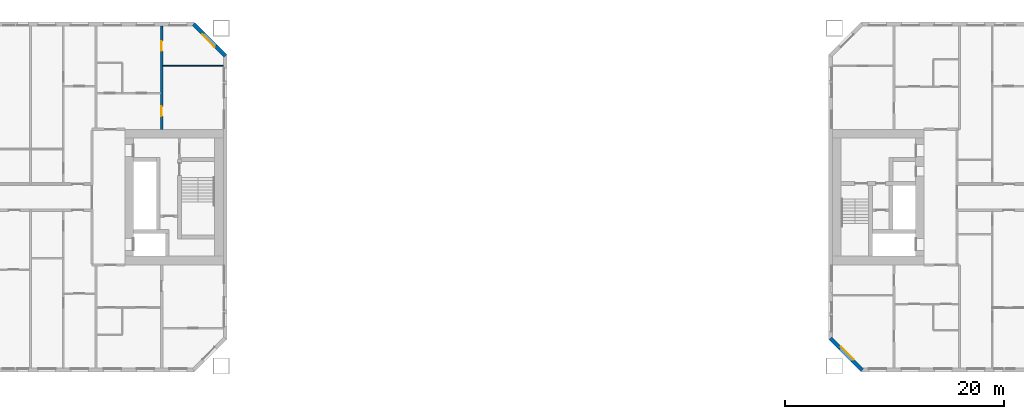
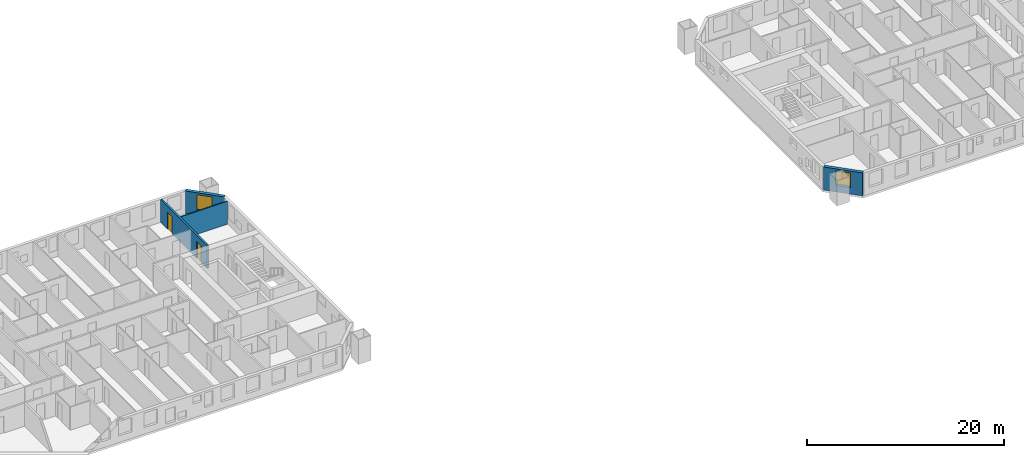
# One storey, part 10 of 19: 4 walls, 2 doors, 2 windows, 4 openings.
"""IFC4 building model written with IfcOpenShell, lengths in metres."""

import ifcopenshell
import ifcopenshell.guid

model = None  # the IFC model being written
_history = None  # IfcOwnerHistory: only IFC2X3 demands one
_inside = {}  # id of a spatial element -> (the spatial element, [elements in it])
_under = {}  # id of a project, library or spatial element -> (it, [spatial elements below it])
_declared = {}  # id of a project -> (the project, [libraries it declares])
_typed = {}  # id of a type object -> (the type object, [elements of that type])
_made_of = {}  # id of a material, layer set ... -> (it, [elements and type objects made of it])


def new_model(schema):
    """Start an empty IFC model of exactly this schema.

    Asked for "IFC4X3", IfcOpenShell would pick the latest addendum, in which some entities
    have other attributes; the version numbers below select the first issue.
    IFC2X3 requires an IfcOwnerHistory on every rooted entity: one is made here for all.
    """
    global model, _history
    if schema == "IFC4X3":
        model = ifcopenshell.file(schema_version=(4, 3, 0, 0))
    else:
        model = ifcopenshell.file(schema=schema)
    _inside.clear()
    _under.clear()
    _declared.clear()
    _typed.clear()
    _made_of.clear()
    _history = None
    if model.schema == "IFC2X3":
        org = make("IfcOrganization", Name="unknown")
        user = make(
            "IfcPersonAndOrganization",
            ThePerson=make("IfcPerson", FamilyName="unknown"),
            TheOrganization=org,
        )
        app = make(
            "IfcApplication",
            ApplicationDeveloper=org,
            Version="unknown",
            ApplicationFullName="unknown",
            ApplicationIdentifier="unknown",
        )
        _history = make(
            "IfcOwnerHistory",
            OwningUser=user,
            OwningApplication=app,
            ChangeAction="ADDED",
            CreationDate=0,
        )
    return model


def make(cls, **values):
    """One entity of the class cls with the attributes given. An attribute that is None is left unset."""
    return model.create_entity(
        cls, **{name: value for name, value in values.items() if value is not None}
    )


def rooted(cls, **values):
    """An entity with a GlobalId (a new one), such as an element, a storey or a relation."""
    return make(cls, GlobalId=ifcopenshell.guid.new(), OwnerHistory=_history, **values)


def si_unit(unit_type, name, prefix=None):
    """IfcSIUnit, for example si_unit("LENGTHUNIT", "METRE", prefix="MILLI")."""
    return make("IfcSIUnit", UnitType=unit_type, Prefix=prefix, Name=name)


def assignment(units):
    """IfcUnitAssignment: the units of a project."""
    return None if units is None else make("IfcUnitAssignment", Units=units)


def point(xyz):
    """IfcCartesianPoint."""
    return None if xyz is None else make("IfcCartesianPoint", Coordinates=xyz)


def direction(xyz):
    """IfcDirection."""
    return None if xyz is None else make("IfcDirection", DirectionRatios=xyz)


def frame(location, z_axis=None, x_axis=None):
    """IfcAxis2Placement3D, a coordinate frame: its origin and axes. An axis left out is left unset."""
    return make(
        "IfcAxis2Placement3D",
        Location=point(location),
        Axis=direction(z_axis),
        RefDirection=direction(x_axis),
    )


def frame_2d(location, x_axis=None):
    """IfcAxis2Placement2D, a coordinate frame in the plane: its origin and x axis."""
    return make(
        "IfcAxis2Placement2D", Location=point(location), RefDirection=direction(x_axis)
    )


def origin():
    """The frame at (0, 0, 0) with its axes left unset."""
    return frame((0.0, 0.0, 0.0))


def place(relative_to, where):
    """IfcLocalPlacement: puts the frame where relative to a parent placement (None: the world)."""
    return make(
        "IfcLocalPlacement", PlacementRelTo=relative_to, RelativePlacement=where
    )


def context(
    kind, dimensions, precision=None, world=None, true_north=None, identifier=None
):
    """IfcGeometricRepresentationContext, for example the 3D "Model" context."""
    return make(
        "IfcGeometricRepresentationContext",
        ContextIdentifier=identifier,
        ContextType=kind,
        CoordinateSpaceDimension=dimensions,
        Precision=precision,
        WorldCoordinateSystem=world,
        TrueNorth=true_north,
    )


def subcontext(parent, identifier, kind, view, scale=None):
    """IfcGeometricRepresentationSubContext, for example "Body" below "Model"."""
    return make(
        "IfcGeometricRepresentationSubContext",
        ContextIdentifier=identifier,
        ContextType=kind,
        ParentContext=parent,
        TargetScale=scale,
        TargetView=view,
    )


def project(units=None, contexts=None):
    """IfcProject with its units and contexts."""
    return rooted(
        "IfcProject",
        Name="project",
        RepresentationContexts=contexts,
        UnitsInContext=assignment(units),
    )


def spatial(cls, under=None, at=None, **own):
    """A site, building, storey or space (cls), placed at a placement, below another one or the project."""
    s = rooted(cls, ObjectPlacement=at, **own)
    if under is not None:
        _under.setdefault(under.id(), (under, []))[1].append(s)
    return s


def profile(cls, at=None, kind="AREA", **sizes):
    """A parametric profile (cls). Its sizes go by their IFC names, for example OverallWidth=200.0."""
    return make(cls, ProfileType=kind, Position=at, **sizes)


def rectangle(**sizes):
    """IfcRectangleProfileDef."""
    return profile("IfcRectangleProfileDef", **sizes)


def extrude(swept, where, along, depth):
    """IfcExtrudedAreaSolid: the profile swept, set in the frame where, extruded along a direction by depth."""
    return make(
        "IfcExtrudedAreaSolid",
        SweptArea=swept,
        Position=where,
        ExtrudedDirection=direction(along),
        Depth=depth,
    )


def shape(context_of_items, identifier, shape_type, items):
    """IfcShapeRepresentation: the items that make up one representation, for example the "Body"."""
    return make(
        "IfcShapeRepresentation",
        ContextOfItems=context_of_items,
        RepresentationIdentifier=identifier,
        RepresentationType=shape_type,
        Items=items,
    )


def material(Name=None, Category=None):
    """IfcMaterial."""
    return make("IfcMaterial", Name=Name, Category=Category)


def layer(
    of_material, thickness, ventilated=None, Name=None, Category=None, Priority=None
):
    """IfcMaterialLayer: one layer of a wall or slab, of a material (None: an air gap)."""
    return make(
        "IfcMaterialLayer",
        Material=of_material,
        LayerThickness=thickness,
        IsVentilated=ventilated,
        Name=Name,
        Category=Category,
        Priority=Priority,
    )


def layer_set(layers, Name=None):
    """IfcMaterialLayerSet."""
    return make("IfcMaterialLayerSet", MaterialLayers=layers, LayerSetName=Name)


def made_of(thing, what):
    """Note that an element or type object is made of a material, layer set ...; save() writes the relation."""
    if what is not None:
        _made_of.setdefault(what.id(), (what, []))[1].append(thing)
    return thing


def type_object(cls, material=None, **own):
    """A type object (cls), such as IfcWallType, which elements share."""
    return made_of(rooted(cls, **own), material)


def element(
    cls,
    number,
    at=None,
    inside=None,
    cuts=None,
    type_object=None,
    material=None,
    context=None,
    identifier="Body",
    shape_type=None,
    held_by="IfcProductDefinitionShape",
    body=None,
    shapes=None,
    **own,
):
    """One element of the class cls, such as IfcWall. Its Tag is "e" and its number.

    at: its placement. inside: the storey or other place that contains it. cuts: it is an
    opening in that element (IfcRelVoidsElement). A single representation is given by context,
    identifier, shape_type and body (its items); several are given by shapes. held_by: the class
    of the entity that holds the representations. save() writes the other relations.
    """
    e = rooted(cls, Tag="e%d" % number, ObjectPlacement=at, **own)
    if body is not None:
        shapes = [shape(context, identifier, shape_type, body)]
    if shapes is not None:
        e.Representation = make(held_by, Representations=shapes)
    if inside is not None:
        _inside.setdefault(inside.id(), (inside, []))[1].append(e)
    if cuts is not None:
        rooted(
            "IfcRelVoidsElement", RelatingBuildingElement=cuts, RelatedOpeningElement=e
        )
    if type_object is not None:
        _typed.setdefault(type_object.id(), (type_object, []))[1].append(e)
    return made_of(e, material)


def fill(opening, filler):
    """IfcRelFillsElement: the door or window that sits in an opening."""
    return rooted(
        "IfcRelFillsElement",
        RelatingOpeningElement=opening,
        RelatedBuildingElement=filler,
    )


def aggregate(whole, parts):
    """IfcRelAggregates: a whole, such as a stair, and the parts it consists of."""
    return rooted("IfcRelAggregates", RelatingObject=whole, RelatedObjects=parts)


def save(model, path):
    """Write the relations noted so far, then the file.

    IfcRelAggregates (storeys below a building ...), IfcRelContainedInSpatialStructure (elements
    in a storey), IfcRelDefinesByType, IfcRelAssociatesMaterial and IfcRelDeclares: one each for
    every whole, place, type object, material and project.
    """
    for whole, parts in _under.values():
        aggregate(whole, parts)
    for where, things in _inside.values():
        rooted(
            "IfcRelContainedInSpatialStructure",
            RelatedElements=things,
            RelatingStructure=where,
        )
    for kind, things in _typed.values():
        rooted("IfcRelDefinesByType", RelatedObjects=things, RelatingType=kind)
    for what, things in _made_of.values():
        rooted("IfcRelAssociatesMaterial", RelatedObjects=things, RelatingMaterial=what)
    for by, libraries in _declared.values():
        rooted("IfcRelDeclares", RelatingContext=by, RelatedDefinitions=libraries)
    model.write(path)


model = new_model("IFC4")

# Units and contexts
model_context = context("Model", 3, precision=1e-05, world=origin(), true_north=direction((0.0, 1.0)))
body_context = subcontext(model_context, "Body", "Model", "MODEL_VIEW")
ifc_project = project(units=[si_unit("LENGTHUNIT", "METRE"), si_unit("AREAUNIT", "SQUARE_METRE"), si_unit("VOLUMEUNIT", "CUBIC_METRE"), si_unit("PLANEANGLEUNIT", "RADIAN"), si_unit("MASSUNIT", "GRAM", prefix="KILO")], contexts=[model_context])

# Site, building, storey
site_placement = place(None, origin())
site = spatial("IfcSite", under=ifc_project, at=site_placement, CompositionType="ELEMENT")
building_placement = place(site_placement, origin())
building = spatial("IfcBuilding", under=site, at=building_placement, Name="Tuart Gate Housing", CompositionType="ELEMENT")
storey_placement = place(building_placement, frame((0.0, 0.0, 56.699951171875)))
storey = spatial("IfcBuildingStorey", under=building, at=storey_placement, Name="L15", CompositionType="ELEMENT", Elevation=56.699951171875)

# Wall, opening, window
ifc_material_1 = material(Name="Brick", Category="masonry")
ifc_layer_1 = layer(ifc_material_1, 0.360107421875)
ifc_layer_set_1 = layer_set([ifc_layer_1], Name="Brick pier and spandrel wall 360")
wall_type_1 = type_object("IfcWallType", Name="Brick pier and spandrel wall 360", PredefinedType="STANDARD", material=ifc_layer_set_1)
wall_1_placement = place(storey_placement, frame((75.820068359375, 82.92529296875, 0.0), z_axis=(0.0, 0.0, 1.0), x_axis=(-0.707106781187, 0.707106781187, 0.0)))
wall_1 = element("IfcWall", 1, at=wall_1_placement, inside=storey, type_object=wall_type_1, Name="External wall A-NE L15", PredefinedType="STANDARD", context=body_context, shape_type="SweptSolid", body=[
    extrude(rectangle(XDim=4.09375, YDim=0.360107421875, at=frame_2d((2.046875, 0.0))), origin(), (0.0, 0.0, 1.0), 2.85009765625),
])
opening_1_placement = place(wall_1_placement, frame((1.2470703125, 0.0, 0.800048828125)))
opening_1 = element("IfcOpeningElement", 2, at=opening_1_placement, cuts=wall_1, Name="Opening W1", PredefinedType="OPENING", context=body_context, shape_type="SweptSolid", body=[
    extrude(rectangle(XDim=1.60009765625, YDim=1.800048828125, at=frame_2d((0.800048828125, 0.89990234375))), frame((0.0, 0.18994140625, 0.0), z_axis=(0.0, -1.0, 0.0), x_axis=(1.0, 0.0, 0.0)), (0.0, 0.0, 1.0), 0.380126953125),
])
ifc_material_2 = material(Name="Aluminium frame with clear glass", Category="aluminium")
window_type = type_object("IfcWindowType", Name="Punched window 1600 x 1800", PartitioningType="SINGLE_PANEL", PredefinedType="WINDOW", material=ifc_material_2)
window_1_placement = place(opening_1_placement, origin())
window_1 = element("IfcWindow", 3, at=window_1_placement, inside=storey, type_object=window_type, Name="Window W1", OverallHeight=1.800048828125, OverallWidth=1.60009765625, PartitioningType="SINGLE_PANEL", PredefinedType="WINDOW", context=body_context, shape_type="SweptSolid", body=[
    extrude(rectangle(XDim=1.60009765625, YDim=1.800048828125, at=frame_2d((0.800048828125, 0.89990234375))), frame((0.0, 0.150146484375, 0.0), z_axis=(0.0, -1.0, 0.0), x_axis=(1.0, 0.0, 0.0)), (0.0, 0.0, 1.0), 0.06005859375),
])
fill(opening_1, window_1)

wall_2_placement = place(storey_placement, frame((131.179931640625, 57.07470703125, 0.0), z_axis=(0.0, 0.0, 1.0), x_axis=(0.707106781187, -0.707106781187, 0.0)))
wall_2 = element("IfcWall", 4, at=wall_2_placement, inside=storey, type_object=wall_type_1, Name="External wall B-SW L15", PredefinedType="STANDARD", context=body_context, shape_type="SweptSolid", body=[
    extrude(rectangle(XDim=4.09375, YDim=0.360107421875, at=frame_2d((2.046875, 0.0))), origin(), (0.0, 0.0, 1.0), 2.85009765625),
])
opening_2_placement = place(wall_2_placement, frame((1.2470703125, 0.0, 0.800048828125)))
opening_2 = element("IfcOpeningElement", 5, at=opening_2_placement, cuts=wall_2, Name="Opening W1", PredefinedType="OPENING", context=body_context, shape_type="SweptSolid", body=[
    extrude(rectangle(XDim=1.60009765625, YDim=1.800048828125, at=frame_2d((0.800048828125, 0.89990234375))), frame((0.0, 0.18994140625, 0.0), z_axis=(0.0, -1.0, 0.0), x_axis=(1.0, 0.0, 0.0)), (0.0, 0.0, 1.0), 0.380126953125),
])
window_2_placement = place(opening_2_placement, origin())
window_2 = element("IfcWindow", 6, at=window_2_placement, inside=storey, type_object=window_type, Name="Window W1", OverallHeight=1.800048828125, OverallWidth=1.60009765625, PartitioningType="SINGLE_PANEL", PredefinedType="WINDOW", context=body_context, shape_type="SweptSolid", body=[
    extrude(rectangle(XDim=1.60009765625, YDim=1.800048828125, at=frame_2d((0.800048828125, 0.89990234375))), frame((0.0, 0.150146484375, 0.0), z_axis=(0.0, -1.0, 0.0), x_axis=(1.0, 0.0, 0.0)), (0.0, 0.0, 1.0), 0.06005859375),
])
fill(opening_2, window_2)

# Wall
ifc_material_3 = material(Name="Gypsum board on steel studs", Category="steel")
ifc_layer_2 = layer(ifc_material_3, 0.10009765625)
ifc_layer_set_2 = layer_set([ifc_layer_2], Name="Partition 100")
wall_type_2 = type_object("IfcWallType", Name="Partition 100", PredefinedType="PARTITIONING", material=ifc_layer_set_2)
wall_3_placement = place(storey_placement, frame((70.10009765625, 82.0, 0.0), z_axis=(0.0, 0.0, 1.0), x_axis=(1.0, 0.0, 0.0)))
element("IfcWall", 7, at=wall_3_placement, inside=storey, type_object=wall_type_2, Name="Partition 100", PredefinedType="PARTITIONING", context=body_context, shape_type="SweptSolid", body=[
    extrude(rectangle(XDim=5.539794921875, YDim=0.10009765625, at=frame_2d((2.77001953125, 0.0))), origin(), (0.0, 0.0, 1.0), 2.85009765625),
])

# Wall, openings, doors
ifc_material_4 = material(Name="Concrete C40", Category="concrete")
ifc_layer_3 = layer(ifc_material_4, 0.199951171875)
ifc_layer_set_3 = layer_set([ifc_layer_3], Name="Party wall concrete C40 200")
wall_type_3 = type_object("IfcWallType", Name="Party wall concrete C40 200", PredefinedType="SOLIDWALL", material=ifc_layer_set_3)
wall_4_placement = place(storey_placement, frame((70.0, 76.199951171875, 0.0), z_axis=(0.0, 0.0, 1.0), x_axis=(0.0, 1.0, 0.0)))
wall_4 = element("IfcWall", 8, at=wall_4_placement, inside=storey, type_object=wall_type_3, Name="Party wall concrete C40 200", PredefinedType="SOLIDWALL", context=body_context, shape_type="SweptSolid", body=[
    extrude(rectangle(XDim=9.43994140625, YDim=0.199951171875, at=frame_2d((4.719970703125, 0.0))), origin(), (0.0, 0.0, 1.0), 2.85009765625),
])
opening_3_placement = place(wall_4_placement, frame((7.169921875, 0.0, 0.0)))
opening_3 = element("IfcOpeningElement", 9, at=opening_3_placement, cuts=wall_4, Name="Opening D717", PredefinedType="OPENING", context=body_context, shape_type="SweptSolid", body=[
    extrude(rectangle(XDim=0.89990234375, YDim=2.10009765625, at=frame_2d((0.449951171875, 1.050048828125))), frame((0.0, 0.10986328125, 0.0), z_axis=(0.0, -1.0, 0.0), x_axis=(1.0, 0.0, 0.0)), (0.0, 0.0, 1.0), 0.219970703125),
])
opening_4_placement = place(wall_4_placement, frame((1.199951171875, 0.0, 0.0)))
opening_4 = element("IfcOpeningElement", 10, at=opening_4_placement, cuts=wall_4, Name="Opening D718", PredefinedType="OPENING", context=body_context, shape_type="SweptSolid", body=[
    extrude(rectangle(XDim=0.89990234375, YDim=2.10009765625, at=frame_2d((0.449951171875, 1.050048828125))), frame((0.0, 0.10986328125, 0.0), z_axis=(0.0, -1.0, 0.0), x_axis=(1.0, 0.0, 0.0)), (0.0, 0.0, 1.0), 0.219970703125),
])
ifc_material_5 = material(Name="Timber door leaf in steel frame", Category="steel")
door_type = type_object("IfcDoorType", Name="Internal door 900 RH", OperationType="SINGLE_SWING_RIGHT", PredefinedType="DOOR", material=ifc_material_5)
door_1_placement = place(opening_3_placement, frame((0.89990234375, 0.0, 0.0), z_axis=(0.0, 0.0, 1.0), x_axis=(-1.0, 0.0, 0.0)))
door_1 = element("IfcDoor", 11, at=door_1_placement, inside=storey, type_object=door_type, Name="Internal door", OperationType="SINGLE_SWING_RIGHT", OverallHeight=2.10009765625, OverallWidth=0.89990234375, PredefinedType="DOOR", context=body_context, shape_type="SweptSolid", body=[
    extrude(rectangle(XDim=0.89990234375, YDim=2.10009765625, at=frame_2d((0.449951171875, 1.050048828125))), frame((0.0, 0.025146484375, 0.0), z_axis=(0.0, -1.0, 0.0), x_axis=(1.0, 0.0, 0.0)), (0.0, 0.0, 1.0), 0.050048828125),
])
fill(opening_3, door_1)
door_2_placement = place(opening_4_placement, frame((0.89990234375, 0.0, 0.0), z_axis=(0.0, 0.0, 1.0), x_axis=(-1.0, 0.0, 0.0)))
door_2 = element("IfcDoor", 12, at=door_2_placement, inside=storey, type_object=door_type, Name="Internal door", OperationType="SINGLE_SWING_RIGHT", OverallHeight=2.10009765625, OverallWidth=0.89990234375, PredefinedType="DOOR", context=body_context, shape_type="SweptSolid", body=[
    extrude(rectangle(XDim=0.89990234375, YDim=2.10009765625, at=frame_2d((0.449951171875, 1.050048828125))), frame((0.0, 0.025146484375, 0.0), z_axis=(0.0, -1.0, 0.0), x_axis=(1.0, 0.0, 0.0)), (0.0, 0.0, 1.0), 0.050048828125),
])
fill(opening_4, door_2)

save(model, "model.ifc")
